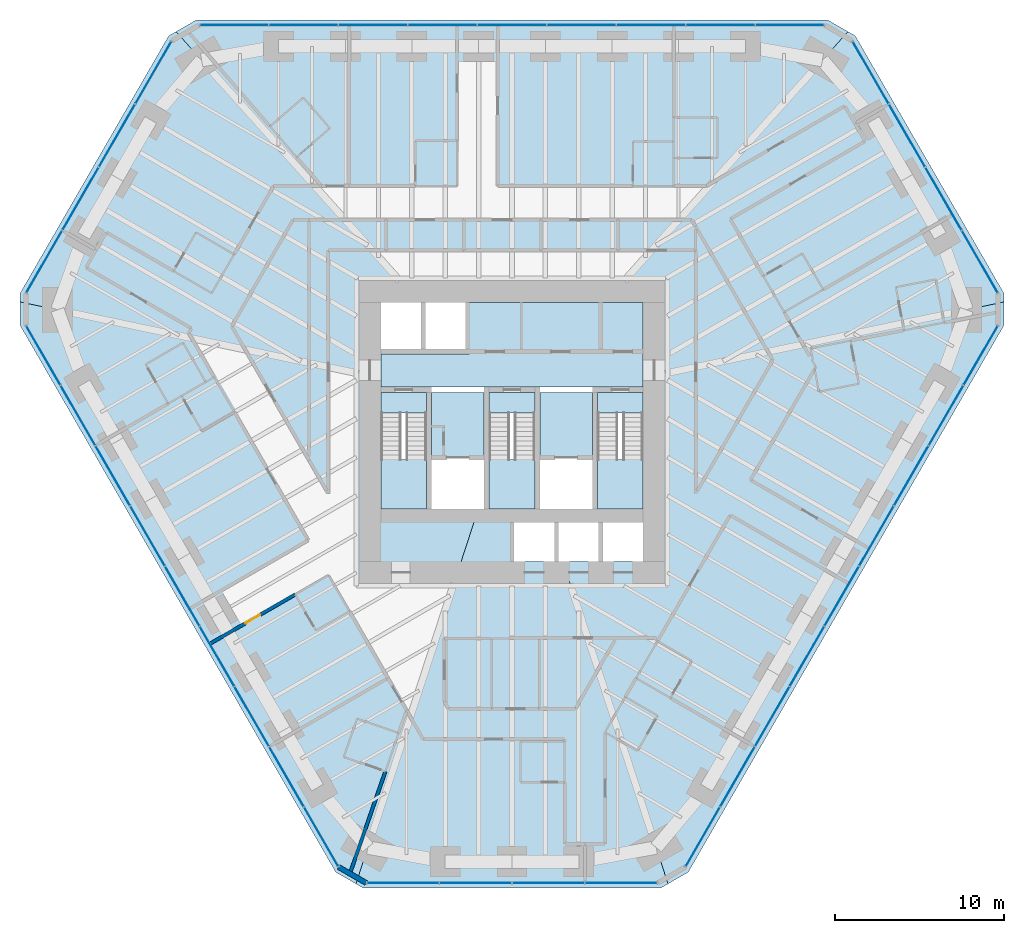
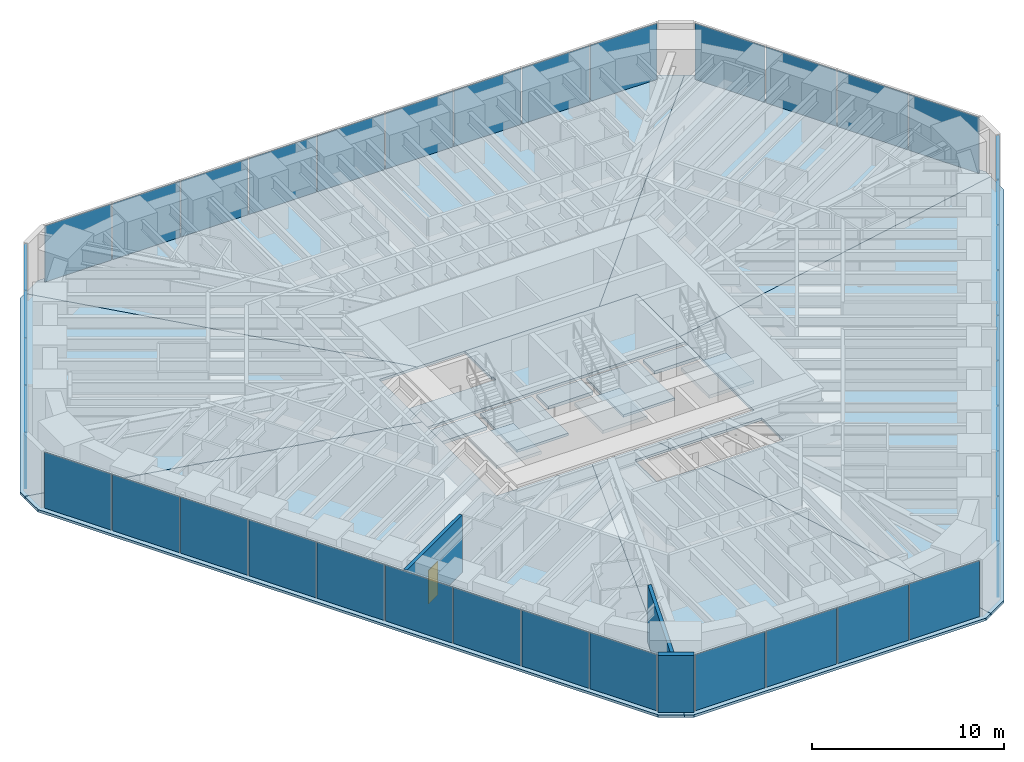
# One storey, part 10 of 17: 39 plates, 15 slabs, 3 walls, 1 door, 1 opening, 9 elements without a shape of their own.
"""IFC4 building model written with IfcOpenShell, lengths in metres."""

from ifc_helpers import new_model, si_unit, direction, frame, frame_2d, origin, origin_2d, place, context, subcontext, project, spatial, polyline, rectangle, outline, extrude, material, layer, layer_set, type_object, element, fill, aggregate, save


model = new_model("IFC4")

# Units and contexts
model_context = context("Model", 3, precision=1e-05, world=origin(), true_north=direction((0.0, 1.0)))
body_context = subcontext(model_context, "Body", "Model", "MODEL_VIEW")
ifc_project = project(units=[si_unit("LENGTHUNIT", "METRE"), si_unit("AREAUNIT", "SQUARE_METRE"), si_unit("VOLUMEUNIT", "CUBIC_METRE"), si_unit("PLANEANGLEUNIT", "RADIAN"), si_unit("MASSUNIT", "GRAM", prefix="KILO")], contexts=[model_context])

# Site, building, storey
site_placement = place(None, origin())
site = spatial("IfcSite", under=ifc_project, at=site_placement, CompositionType="ELEMENT")
building_placement = place(site_placement, origin())
building = spatial("IfcBuilding", under=site, at=building_placement, Name="Sandreach Pilgrim Tower", CompositionType="ELEMENT")
storey_placement = place(building_placement, frame((0.0, 0.0, 138.60009765625)))
storey = spatial("IfcBuildingStorey", under=building, at=storey_placement, Name="L34", CompositionType="ELEMENT", Elevation=138.60009765625)

# Curtain wall, plates
ifc_material_1 = material(Name="Aluminium framed curtain wall", Category="aluminium")
curtain_wall_type = type_object("IfcCurtainWallType", Name="Hotel tower curtain wall", PredefinedType="NOTDEFINED", material=ifc_material_1)
curtain_wall_1_placement = place(storey_placement, origin())
curtain_wall_1 = element("IfcCurtainWall", 1, at=curtain_wall_1_placement, inside=storey, type_object=curtain_wall_type, Name="CW-2 L34 N", PredefinedType="NOTDEFINED")
ifc_material_2 = material(Name="Insulating glass unit 8 heat-strengthened + 16 argon + 8 heat-strengthened", Category="glass")
ifc_layer_1 = layer(ifc_material_2, 0.031982421875)
ifc_layer_set_1 = layer_set([ifc_layer_1], Name="CW-2 panel")
plate_type = type_object("IfcPlateType", Name="CW-2 panel", PredefinedType="CURTAIN_PANEL", material=ifc_layer_set_1)
plate_1_placement = place(storey_placement, frame((-16.41162109375, 22.493896484375, 0.0), z_axis=(0.0, 0.0, 1.0), x_axis=(1.0, 0.0, 0.0)))
plate_1 = element("IfcPlate", 2, at=plate_1_placement, type_object=plate_type, Name="CW-2 panel 1", PredefinedType="CURTAIN_PANEL", context=body_context, shape_type="SweptSolid", body=[
    extrude(rectangle(XDim=4.009521484375, YDim=0.031982421875, at=origin_2d()), origin(), (0.0, 0.0, 1.0), 3.570068359375),
])
plate_2_placement = place(storey_placement, frame((-12.32080078125, 22.493896484375, 0.0), z_axis=(0.0, 0.0, 1.0), x_axis=(1.0, 0.0, 0.0)))
plate_2 = element("IfcPlate", 3, at=plate_2_placement, type_object=plate_type, Name="CW-2 panel 2", PredefinedType="CURTAIN_PANEL", context=body_context, shape_type="SweptSolid", body=[
    extrude(rectangle(XDim=4.0419921875, YDim=0.031982421875, at=origin_2d()), origin(), (0.0, 0.0, 1.0), 3.570068359375),
])
plate_3_placement = place(storey_placement, frame((-8.2138671875, 22.493896484375, 0.0), z_axis=(0.0, 0.0, 1.0), x_axis=(1.0, 0.0, 0.0)))
plate_3 = element("IfcPlate", 4, at=plate_3_placement, type_object=plate_type, Name="CW-2 panel 3", PredefinedType="CURTAIN_PANEL", context=body_context, shape_type="SweptSolid", body=[
    extrude(rectangle(XDim=4.0419921875, YDim=0.031982421875, at=origin_2d()), origin(), (0.0, 0.0, 1.0), 3.570068359375),
])
plate_4_placement = place(storey_placement, frame((-4.10693359375, 22.493896484375, 0.0), z_axis=(0.0, 0.0, 1.0), x_axis=(1.0, 0.0, 0.0)))
plate_4 = element("IfcPlate", 5, at=plate_4_placement, type_object=plate_type, Name="CW-2 panel 4", PredefinedType="CURTAIN_PANEL", context=body_context, shape_type="SweptSolid", body=[
    extrude(rectangle(XDim=4.0419921875, YDim=0.031982421875, at=origin_2d()), origin(), (0.0, 0.0, 1.0), 3.570068359375),
])
plate_5_placement = place(storey_placement, frame((0.0, 22.493896484375, 0.0), z_axis=(0.0, 0.0, 1.0), x_axis=(1.0, 0.0, 0.0)))
plate_5 = element("IfcPlate", 6, at=plate_5_placement, type_object=plate_type, Name="CW-2 panel 5", PredefinedType="CURTAIN_PANEL", context=body_context, shape_type="SweptSolid", body=[
    extrude(rectangle(XDim=4.0419921875, YDim=0.031982421875, at=origin_2d()), origin(), (0.0, 0.0, 1.0), 3.570068359375),
])
plate_6_placement = place(storey_placement, frame((4.10693359375, 22.493896484375, 0.0), z_axis=(0.0, 0.0, 1.0), x_axis=(1.0, 0.0, 0.0)))
plate_6 = element("IfcPlate", 7, at=plate_6_placement, type_object=plate_type, Name="CW-2 panel 6", PredefinedType="CURTAIN_PANEL", context=body_context, shape_type="SweptSolid", body=[
    extrude(rectangle(XDim=4.0419921875, YDim=0.031982421875, at=origin_2d()), origin(), (0.0, 0.0, 1.0), 3.570068359375),
])
plate_7_placement = place(storey_placement, frame((8.2138671875, 22.493896484375, 0.0), z_axis=(0.0, 0.0, 1.0), x_axis=(1.0, 0.0, 0.0)))
plate_7 = element("IfcPlate", 8, at=plate_7_placement, type_object=plate_type, Name="CW-2 panel 7", PredefinedType="CURTAIN_PANEL", context=body_context, shape_type="SweptSolid", body=[
    extrude(rectangle(XDim=4.0419921875, YDim=0.031982421875, at=origin_2d()), origin(), (0.0, 0.0, 1.0), 3.570068359375),
])
plate_8_placement = place(storey_placement, frame((12.32080078125, 22.493896484375, 0.0), z_axis=(0.0, 0.0, 1.0), x_axis=(1.0, 0.0, 0.0)))
plate_8 = element("IfcPlate", 9, at=plate_8_placement, type_object=plate_type, Name="CW-2 panel 8", PredefinedType="CURTAIN_PANEL", context=body_context, shape_type="SweptSolid", body=[
    extrude(rectangle(XDim=4.0419921875, YDim=0.031982421875, at=origin_2d()), origin(), (0.0, 0.0, 1.0), 3.570068359375),
])
plate_9_placement = place(storey_placement, frame((16.41162109375, 22.493896484375, 0.0), z_axis=(0.0, 0.0, 1.0), x_axis=(1.0, 0.0, 0.0)))
plate_9 = element("IfcPlate", 10, at=plate_9_placement, type_object=plate_type, Name="CW-2 panel 9", PredefinedType="CURTAIN_PANEL", context=body_context, shape_type="SweptSolid", body=[
    extrude(rectangle(XDim=4.009521484375, YDim=0.031982421875, at=origin_2d()), origin(), (0.0, 0.0, 1.0), 3.570068359375),
])
aggregate(curtain_wall_1, [plate_1, plate_2, plate_3, plate_4, plate_5, plate_6, plate_7, plate_8, plate_9])

curtain_wall_2_placement = place(storey_placement, origin())
curtain_wall_2 = element("IfcCurtainWall", 11, at=curtain_wall_2_placement, inside=storey, type_object=curtain_wall_type, Name="CW-2 L34 NE", PredefinedType="NOTDEFINED")
plate_10_placement = place(storey_placement, frame((21.194091796875, 19.67529296875, 0.0), z_axis=(0.0, 0.0, 1.0), x_axis=(0.5, -0.866025403784, 0.0)))
plate_10 = element("IfcPlate", 12, at=plate_10_placement, type_object=plate_type, Name="CW-2 panel 1", PredefinedType="CURTAIN_PANEL", context=body_context, shape_type="SweptSolid", body=[
    extrude(rectangle(XDim=4.208251953125, YDim=0.031982421875, at=origin_2d()), origin(), (0.0, 0.0, 1.0), 3.570068359375),
])
plate_11_placement = place(storey_placement, frame((23.3388671875, 15.96044921875, 0.0), z_axis=(0.0, 0.0, 1.0), x_axis=(0.5, -0.866025403784, 0.0)))
plate_11 = element("IfcPlate", 13, at=plate_11_placement, type_object=plate_type, Name="CW-2 panel 2", PredefinedType="CURTAIN_PANEL", context=body_context, shape_type="SweptSolid", body=[
    extrude(rectangle(XDim=4.24072265625, YDim=0.031982421875, at=origin_2d()), origin(), (0.0, 0.0, 1.0), 3.570068359375),
])
plate_12_placement = place(storey_placement, frame((25.49169921875, 12.231689453125, 0.0), z_axis=(0.0, 0.0, 1.0), x_axis=(0.5, -0.866025403784, 0.0)))
plate_12 = element("IfcPlate", 14, at=plate_12_placement, type_object=plate_type, Name="CW-2 panel 3", PredefinedType="CURTAIN_PANEL", context=body_context, shape_type="SweptSolid", body=[
    extrude(rectangle(XDim=4.24072265625, YDim=0.031982421875, at=origin_2d()), origin(), (0.0, 0.0, 1.0), 3.570068359375),
])
plate_13_placement = place(storey_placement, frame((27.63623046875, 8.516845703125, 0.0), z_axis=(0.0, 0.0, 1.0), x_axis=(0.5, -0.866025403784, 0.0)))
plate_13 = element("IfcPlate", 15, at=plate_13_placement, type_object=plate_type, Name="CW-2 panel 4", PredefinedType="CURTAIN_PANEL", context=body_context, shape_type="SweptSolid", body=[
    extrude(rectangle(XDim=4.208251953125, YDim=0.031982421875, at=origin_2d()), origin(), (0.0, 0.0, 1.0), 3.570068359375),
])
aggregate(curtain_wall_2, [plate_10, plate_11, plate_12, plate_13])

curtain_wall_3_placement = place(storey_placement, origin())
curtain_wall_3 = element("IfcCurtainWall", 16, at=curtain_wall_3_placement, inside=storey, type_object=curtain_wall_type, Name="CW-2 L34 SE", PredefinedType="NOTDEFINED")
plate_14_placement = place(storey_placement, frame((27.68603515625, 2.966064453125, 0.0), z_axis=(0.0, 0.0, 1.0), x_axis=(-0.5, -0.866025403784, 0.0)))
plate_14 = element("IfcPlate", 17, at=plate_14_placement, type_object=plate_type, Name="CW-2 panel 1", PredefinedType="CURTAIN_PANEL", context=body_context, shape_type="SweptSolid", body=[
    extrude(rectangle(XDim=4.009521484375, YDim=0.031982421875, at=origin_2d()), origin(), (0.0, 0.0, 1.0), 3.570068359375),
])
plate_15_placement = place(storey_placement, frame((25.640625, -0.57666015625, 0.0), z_axis=(0.0, 0.0, 1.0), x_axis=(-0.5, -0.866025403784, 0.0)))
plate_15 = element("IfcPlate", 18, at=plate_15_placement, type_object=plate_type, Name="CW-2 panel 2", PredefinedType="CURTAIN_PANEL", context=body_context, shape_type="SweptSolid", body=[
    extrude(rectangle(XDim=4.0419921875, YDim=0.031982421875, at=origin_2d()), origin(), (0.0, 0.0, 1.0), 3.570068359375),
])
plate_16_placement = place(storey_placement, frame((23.587158203125, -4.13330078125, 0.0), z_axis=(0.0, 0.0, 1.0), x_axis=(-0.5, -0.866025403784, 0.0)))
plate_16 = element("IfcPlate", 19, at=plate_16_placement, type_object=plate_type, Name="CW-2 panel 3", PredefinedType="CURTAIN_PANEL", context=body_context, shape_type="SweptSolid", body=[
    extrude(rectangle(XDim=4.0419921875, YDim=0.031982421875, at=origin_2d()), origin(), (0.0, 0.0, 1.0), 3.570068359375),
])
plate_17_placement = place(storey_placement, frame((21.53369140625, -7.690185546875, 0.0), z_axis=(0.0, 0.0, 1.0), x_axis=(-0.5, -0.866025403784, 0.0)))
plate_17 = element("IfcPlate", 20, at=plate_17_placement, type_object=plate_type, Name="CW-2 panel 4", PredefinedType="CURTAIN_PANEL", context=body_context, shape_type="SweptSolid", body=[
    extrude(rectangle(XDim=4.0419921875, YDim=0.031982421875, at=origin_2d()), origin(), (0.0, 0.0, 1.0), 3.570068359375),
])
plate_18_placement = place(storey_placement, frame((19.480224609375, -11.246826171875, 0.0), z_axis=(0.0, 0.0, 1.0), x_axis=(-0.5, -0.866025403784, 0.0)))
plate_18 = element("IfcPlate", 21, at=plate_18_placement, type_object=plate_type, Name="CW-2 panel 5", PredefinedType="CURTAIN_PANEL", context=body_context, shape_type="SweptSolid", body=[
    extrude(rectangle(XDim=4.0419921875, YDim=0.031982421875, at=origin_2d()), origin(), (0.0, 0.0, 1.0), 3.570068359375),
])
plate_19_placement = place(storey_placement, frame((17.4267578125, -14.8037109375, 0.0), z_axis=(0.0, 0.0, 1.0), x_axis=(-0.5, -0.866025403784, 0.0)))
plate_19 = element("IfcPlate", 22, at=plate_19_placement, type_object=plate_type, Name="CW-2 panel 6", PredefinedType="CURTAIN_PANEL", context=body_context, shape_type="SweptSolid", body=[
    extrude(rectangle(XDim=4.0419921875, YDim=0.031982421875, at=origin_2d()), origin(), (0.0, 0.0, 1.0), 3.570068359375),
])
plate_20_placement = place(storey_placement, frame((15.373291015625, -18.3603515625, 0.0), z_axis=(0.0, 0.0, 1.0), x_axis=(-0.5, -0.866025403784, 0.0)))
plate_20 = element("IfcPlate", 23, at=plate_20_placement, type_object=plate_type, Name="CW-2 panel 7", PredefinedType="CURTAIN_PANEL", context=body_context, shape_type="SweptSolid", body=[
    extrude(rectangle(XDim=4.0419921875, YDim=0.031982421875, at=origin_2d()), origin(), (0.0, 0.0, 1.0), 3.570068359375),
])
plate_21_placement = place(storey_placement, frame((13.31982421875, -21.917236328125, 0.0), z_axis=(0.0, 0.0, 1.0), x_axis=(-0.5, -0.866025403784, 0.0)))
plate_21 = element("IfcPlate", 24, at=plate_21_placement, type_object=plate_type, Name="CW-2 panel 8", PredefinedType="CURTAIN_PANEL", context=body_context, shape_type="SweptSolid", body=[
    extrude(rectangle(XDim=4.0419921875, YDim=0.031982421875, at=origin_2d()), origin(), (0.0, 0.0, 1.0), 3.570068359375),
])
plate_22_placement = place(storey_placement, frame((11.2744140625, -25.459716796875, 0.0), z_axis=(0.0, 0.0, 1.0), x_axis=(-0.5, -0.866025403784, 0.0)))
plate_22 = element("IfcPlate", 25, at=plate_22_placement, type_object=plate_type, Name="CW-2 panel 9", PredefinedType="CURTAIN_PANEL", context=body_context, shape_type="SweptSolid", body=[
    extrude(rectangle(XDim=4.009521484375, YDim=0.031982421875, at=origin_2d()), origin(), (0.0, 0.0, 1.0), 3.570068359375),
])
aggregate(curtain_wall_3, [plate_14, plate_15, plate_16, plate_17, plate_18, plate_19, plate_20, plate_21, plate_22])

curtain_wall_4_placement = place(storey_placement, origin())
curtain_wall_4 = element("IfcCurtainWall", 26, at=curtain_wall_4_placement, inside=storey, type_object=curtain_wall_type, Name="CW-2 L34 S", PredefinedType="NOTDEFINED")
plate_23_placement = place(storey_placement, frame((6.4423828125, -28.192138671875, 0.0), z_axis=(0.0, 0.0, 1.0), x_axis=(-1.0, 0.0, 0.0)))
plate_23 = element("IfcPlate", 27, at=plate_23_placement, type_object=plate_type, Name="CW-2 panel 1", PredefinedType="CURTAIN_PANEL", context=body_context, shape_type="SweptSolid", body=[
    extrude(rectangle(XDim=4.208251953125, YDim=0.031982421875, at=origin_2d()), origin(), (0.0, 0.0, 1.0), 3.570068359375),
])
plate_24_placement = place(storey_placement, frame((2.15283203125, -28.192138671875, 0.0), z_axis=(0.0, 0.0, 1.0), x_axis=(-1.0, 0.0, 0.0)))
plate_24 = element("IfcPlate", 28, at=plate_24_placement, type_object=plate_type, Name="CW-2 panel 2", PredefinedType="CURTAIN_PANEL", context=body_context, shape_type="SweptSolid", body=[
    extrude(rectangle(XDim=4.24072265625, YDim=0.031982421875, at=origin_2d()), origin(), (0.0, 0.0, 1.0), 3.570068359375),
])
plate_25_placement = place(storey_placement, frame((-2.15283203125, -28.192138671875, 0.0), z_axis=(0.0, 0.0, 1.0), x_axis=(-1.0, 0.0, 0.0)))
plate_25 = element("IfcPlate", 29, at=plate_25_placement, type_object=plate_type, Name="CW-2 panel 3", PredefinedType="CURTAIN_PANEL", context=body_context, shape_type="SweptSolid", body=[
    extrude(rectangle(XDim=4.24072265625, YDim=0.031982421875, at=origin_2d()), origin(), (0.0, 0.0, 1.0), 3.570068359375),
])
plate_26_placement = place(storey_placement, frame((-6.4423828125, -28.192138671875, 0.0), z_axis=(0.0, 0.0, 1.0), x_axis=(-1.0, 0.0, 0.0)))
plate_26 = element("IfcPlate", 30, at=plate_26_placement, type_object=plate_type, Name="CW-2 panel 4", PredefinedType="CURTAIN_PANEL", context=body_context, shape_type="SweptSolid", body=[
    extrude(rectangle(XDim=4.208251953125, YDim=0.031982421875, at=origin_2d()), origin(), (0.0, 0.0, 1.0), 3.570068359375),
])
aggregate(curtain_wall_4, [plate_23, plate_24, plate_25, plate_26])

curtain_wall_5_placement = place(storey_placement, origin())
curtain_wall_5 = element("IfcCurtainWall", 31, at=curtain_wall_5_placement, inside=storey, type_object=curtain_wall_type, Name="CW-2 L34 SW", PredefinedType="NOTDEFINED")
plate_27_placement = place(storey_placement, frame((-11.2744140625, -25.459716796875, 0.0), z_axis=(0.0, 0.0, 1.0), x_axis=(-0.5, 0.866025403784, 0.0)))
plate_27 = element("IfcPlate", 32, at=plate_27_placement, type_object=plate_type, Name="CW-2 panel 1", PredefinedType="CURTAIN_PANEL", context=body_context, shape_type="SweptSolid", body=[
    extrude(rectangle(XDim=4.009521484375, YDim=0.031982421875, at=origin_2d()), origin(), (0.0, 0.0, 1.0), 3.570068359375),
])
plate_28_placement = place(storey_placement, frame((-13.31982421875, -21.917236328125, 0.0), z_axis=(0.0, 0.0, 1.0), x_axis=(-0.5, 0.866025403784, 0.0)))
plate_28 = element("IfcPlate", 33, at=plate_28_placement, type_object=plate_type, Name="CW-2 panel 2", PredefinedType="CURTAIN_PANEL", context=body_context, shape_type="SweptSolid", body=[
    extrude(rectangle(XDim=4.0419921875, YDim=0.031982421875, at=origin_2d()), origin(), (0.0, 0.0, 1.0), 3.570068359375),
])
plate_29_placement = place(storey_placement, frame((-15.373291015625, -18.3603515625, 0.0), z_axis=(0.0, 0.0, 1.0), x_axis=(-0.5, 0.866025403784, 0.0)))
plate_29 = element("IfcPlate", 34, at=plate_29_placement, type_object=plate_type, Name="CW-2 panel 3", PredefinedType="CURTAIN_PANEL", context=body_context, shape_type="SweptSolid", body=[
    extrude(rectangle(XDim=4.0419921875, YDim=0.031982421875, at=origin_2d()), origin(), (0.0, 0.0, 1.0), 3.570068359375),
])
plate_30_placement = place(storey_placement, frame((-17.4267578125, -14.8037109375, 0.0), z_axis=(0.0, 0.0, 1.0), x_axis=(-0.5, 0.866025403784, 0.0)))
plate_30 = element("IfcPlate", 35, at=plate_30_placement, type_object=plate_type, Name="CW-2 panel 4", PredefinedType="CURTAIN_PANEL", context=body_context, shape_type="SweptSolid", body=[
    extrude(rectangle(XDim=4.0419921875, YDim=0.031982421875, at=origin_2d()), origin(), (0.0, 0.0, 1.0), 3.570068359375),
])
plate_31_placement = place(storey_placement, frame((-19.480224609375, -11.246826171875, 0.0), z_axis=(0.0, 0.0, 1.0), x_axis=(-0.5, 0.866025403784, 0.0)))
plate_31 = element("IfcPlate", 36, at=plate_31_placement, type_object=plate_type, Name="CW-2 panel 5", PredefinedType="CURTAIN_PANEL", context=body_context, shape_type="SweptSolid", body=[
    extrude(rectangle(XDim=4.0419921875, YDim=0.031982421875, at=origin_2d()), origin(), (0.0, 0.0, 1.0), 3.570068359375),
])
plate_32_placement = place(storey_placement, frame((-21.53369140625, -7.690185546875, 0.0), z_axis=(0.0, 0.0, 1.0), x_axis=(-0.5, 0.866025403784, 0.0)))
plate_32 = element("IfcPlate", 37, at=plate_32_placement, type_object=plate_type, Name="CW-2 panel 6", PredefinedType="CURTAIN_PANEL", context=body_context, shape_type="SweptSolid", body=[
    extrude(rectangle(XDim=4.0419921875, YDim=0.031982421875, at=origin_2d()), origin(), (0.0, 0.0, 1.0), 3.570068359375),
])
plate_33_placement = place(storey_placement, frame((-23.587158203125, -4.13330078125, 0.0), z_axis=(0.0, 0.0, 1.0), x_axis=(-0.5, 0.866025403784, 0.0)))
plate_33 = element("IfcPlate", 38, at=plate_33_placement, type_object=plate_type, Name="CW-2 panel 7", PredefinedType="CURTAIN_PANEL", context=body_context, shape_type="SweptSolid", body=[
    extrude(rectangle(XDim=4.0419921875, YDim=0.031982421875, at=origin_2d()), origin(), (0.0, 0.0, 1.0), 3.570068359375),
])
plate_34_placement = place(storey_placement, frame((-25.640625, -0.57666015625, 0.0), z_axis=(0.0, 0.0, 1.0), x_axis=(-0.5, 0.866025403784, 0.0)))
plate_34 = element("IfcPlate", 39, at=plate_34_placement, type_object=plate_type, Name="CW-2 panel 8", PredefinedType="CURTAIN_PANEL", context=body_context, shape_type="SweptSolid", body=[
    extrude(rectangle(XDim=4.0419921875, YDim=0.031982421875, at=origin_2d()), origin(), (0.0, 0.0, 1.0), 3.570068359375),
])
plate_35_placement = place(storey_placement, frame((-27.68603515625, 2.966064453125, 0.0), z_axis=(0.0, 0.0, 1.0), x_axis=(-0.5, 0.866025403784, 0.0)))
plate_35 = element("IfcPlate", 40, at=plate_35_placement, type_object=plate_type, Name="CW-2 panel 9", PredefinedType="CURTAIN_PANEL", context=body_context, shape_type="SweptSolid", body=[
    extrude(rectangle(XDim=4.009521484375, YDim=0.031982421875, at=origin_2d()), origin(), (0.0, 0.0, 1.0), 3.570068359375),
])
aggregate(curtain_wall_5, [plate_27, plate_28, plate_29, plate_30, plate_31, plate_32, plate_33, plate_34, plate_35])

curtain_wall_6_placement = place(storey_placement, origin())
curtain_wall_6 = element("IfcCurtainWall", 41, at=curtain_wall_6_placement, inside=storey, type_object=curtain_wall_type, Name="CW-2 L34 NW", PredefinedType="NOTDEFINED")
plate_36_placement = place(storey_placement, frame((-27.63623046875, 8.516845703125, 0.0), z_axis=(0.0, 0.0, 1.0), x_axis=(0.5, 0.866025403784, 0.0)))
plate_36 = element("IfcPlate", 42, at=plate_36_placement, type_object=plate_type, Name="CW-2 panel 1", PredefinedType="CURTAIN_PANEL", context=body_context, shape_type="SweptSolid", body=[
    extrude(rectangle(XDim=4.208251953125, YDim=0.031982421875, at=origin_2d()), origin(), (0.0, 0.0, 1.0), 3.570068359375),
])
plate_37_placement = place(storey_placement, frame((-25.49169921875, 12.231689453125, 0.0), z_axis=(0.0, 0.0, 1.0), x_axis=(0.5, 0.866025403784, 0.0)))
plate_37 = element("IfcPlate", 43, at=plate_37_placement, type_object=plate_type, Name="CW-2 panel 2", PredefinedType="CURTAIN_PANEL", context=body_context, shape_type="SweptSolid", body=[
    extrude(rectangle(XDim=4.24072265625, YDim=0.031982421875, at=origin_2d()), origin(), (0.0, 0.0, 1.0), 3.570068359375),
])
plate_38_placement = place(storey_placement, frame((-23.3388671875, 15.96044921875, 0.0), z_axis=(0.0, 0.0, 1.0), x_axis=(0.5, 0.866025403784, 0.0)))
plate_38 = element("IfcPlate", 44, at=plate_38_placement, type_object=plate_type, Name="CW-2 panel 3", PredefinedType="CURTAIN_PANEL", context=body_context, shape_type="SweptSolid", body=[
    extrude(rectangle(XDim=4.24072265625, YDim=0.031982421875, at=origin_2d()), origin(), (0.0, 0.0, 1.0), 3.570068359375),
])
plate_39_placement = place(storey_placement, frame((-21.194091796875, 19.67529296875, 0.0), z_axis=(0.0, 0.0, 1.0), x_axis=(0.5, 0.866025403784, 0.0)))
plate_39 = element("IfcPlate", 45, at=plate_39_placement, type_object=plate_type, Name="CW-2 panel 4", PredefinedType="CURTAIN_PANEL", context=body_context, shape_type="SweptSolid", body=[
    extrude(rectangle(XDim=4.208251953125, YDim=0.031982421875, at=origin_2d()), origin(), (0.0, 0.0, 1.0), 3.570068359375),
])
aggregate(curtain_wall_6, [plate_36, plate_37, plate_38, plate_39])

# Slabs
ifc_material_3 = material(Name="Concrete 8000 psi", Category="concrete")
ifc_layer_2 = layer(ifc_material_3, 0.159912109375)
ifc_layer_set_2 = layer_set([ifc_layer_2], Name="Composite floor slab 160")
slab_type_1 = type_object("IfcSlabType", Name="Composite floor slab 160", PredefinedType="FLOOR", material=ifc_layer_set_2)
slab_1_placement = place(storey_placement, frame((0.0, 0.0, -0.16015625)))
element("IfcSlab", 46, at=slab_1_placement, inside=storey, type_object=slab_type_1, Name="Floor slab L34 N sector", PredefinedType="FLOOR", context=body_context, shape_type="SweptSolid", body=[
    extrude(outline(polyline([(-18.654541015625, 22.793701171875), (18.654541015625, 22.793701171875), (19.848388671875, 22.1044921875), (5.477294921875, 6.10009765625), (-5.477294921875, 6.10009765625), (-19.848388671875, 22.1044921875), (-18.654541015625, 22.793701171875)])), origin(), (0.0, 0.0, 1.0), 0.16015625),
])
slab_2_placement = place(storey_placement, frame((0.0, 0.0, -0.16015625)))
element("IfcSlab", 47, at=slab_2_placement, inside=storey, type_object=slab_type_1, Name="Floor slab L34 NE sector", PredefinedType="FLOOR", context=body_context, shape_type="SweptSolid", body=[
    extrude(outline(polyline([(20.28271484375, 21.853759765625), (29.0673828125, 6.638427734375), (29.0673828125, 6.13720703125), (7.75, 1.63623046875), (7.75, 6.10009765625), (5.477294921875, 6.10009765625), (19.848388671875, 22.1044921875), (20.28271484375, 21.853759765625)])), origin(), (0.0, 0.0, 1.0), 0.16015625),
])
slab_3_placement = place(storey_placement, frame((0.0, 0.0, -0.16015625)))
element("IfcSlab", 48, at=slab_3_placement, inside=storey, type_object=slab_type_1, Name="Floor slab L34 SE sector", PredefinedType="FLOOR", context=body_context, shape_type="SweptSolid", body=[
    extrude(outline(polyline([(29.0673828125, 4.75830078125), (10.41259765625, -27.55224609375), (9.21875, -28.241455078125), (3.003173828125, -9.199951171875), (7.75, -9.199951171875), (7.75, -6.89990234375), (2.252197265625, -6.89990234375), (1.9912109375, -6.10009765625), (7.75, -6.10009765625), (7.75, 1.63623046875), (29.0673828125, 6.13720703125), (29.0673828125, 4.75830078125)])), origin(), (0.0, 0.0, 1.0), 0.16015625),
])
slab_4_placement = place(storey_placement, frame((0.0, 0.0, -0.16015625)))
element("IfcSlab", 49, at=slab_4_placement, inside=storey, type_object=slab_type_1, Name="Floor slab L34 S sector", PredefinedType="FLOOR", context=body_context, shape_type="SweptSolid", body=[
    extrude(outline(polyline([(8.78466796875, -28.4921875), (-8.78466796875, -28.4921875), (-9.21875, -28.241455078125), (-1.9912109375, -6.10009765625), (1.9912109375, -6.10009765625), (2.252197265625, -6.89990234375), (0.125, -6.89990234375), (0.125, -9.199951171875), (3.003173828125, -9.199951171875), (9.21875, -28.241455078125), (8.78466796875, -28.4921875)])), origin(), (0.0, 0.0, 1.0), 0.16015625),
])
slab_5_placement = place(storey_placement, frame((0.0, 0.0, -0.16015625)))
element("IfcSlab", 50, at=slab_5_placement, inside=storey, type_object=slab_type_1, Name="Floor slab L34 SW sector", PredefinedType="FLOOR", context=body_context, shape_type="SweptSolid", body=[
    extrude(outline(polyline([(-10.41259765625, -27.55224609375), (-29.0673828125, 4.75830078125), (-29.0673828125, 6.13720703125), (-7.75, 1.63623046875), (-7.75, -6.10009765625), (-1.9912109375, -6.10009765625), (-9.21875, -28.241455078125), (-10.41259765625, -27.55224609375)])), origin(), (0.0, 0.0, 1.0), 0.16015625),
])
slab_6_placement = place(storey_placement, frame((0.0, 0.0, -0.16015625)))
element("IfcSlab", 51, at=slab_6_placement, inside=storey, type_object=slab_type_1, Name="Floor slab L34 NW sector", PredefinedType="FLOOR", context=body_context, shape_type="SweptSolid", body=[
    extrude(outline(polyline([(-29.0673828125, 6.638427734375), (-20.28271484375, 21.853759765625), (-19.848388671875, 22.1044921875), (-5.477294921875, 6.10009765625), (-7.75, 6.10009765625), (-7.75, 1.63623046875), (-29.0673828125, 6.13720703125), (-29.0673828125, 6.638427734375)])), origin(), (0.0, 0.0, 1.0), 0.16015625),
])
slab_7_placement = place(storey_placement, frame((0.0, 0.0, -0.16015625)))
element("IfcSlab", 52, at=slab_7_placement, inside=storey, type_object=slab_type_1, Name="Core floor slab and stores L34", PredefinedType="FLOOR", context=body_context, shape_type="SweptSolid", body=[
    extrude(outline(polyline([(-7.75, 3.050048828125), (-5.375, 3.050048828125), (-5.125, 3.050048828125), (-2.5, 3.050048828125), (-2.5, 3.35009765625), (-2.60009765625, 3.35009765625), (-2.60009765625, 6.10009765625), (7.75, 6.10009765625), (7.75, 1.10009765625), (5.050048828125, 1.10009765625), (4.75, 1.10009765625), (1.64990234375, 1.10009765625), (1.35009765625, 1.10009765625), (-1.35009765625, 1.10009765625), (-1.64990234375, 1.10009765625), (-4.75, 1.10009765625), (-5.050048828125, 1.10009765625), (-7.75, 1.10009765625), (-7.75, 3.050048828125)])), origin(), (0.0, 0.0, 1.0), 0.16015625),
])
slab_8_placement = place(storey_placement, frame((0.0, 0.0, -0.16015625)))
element("IfcSlab", 53, at=slab_8_placement, inside=storey, type_object=slab_type_1, Name="Core floor slab and stores L34 2", PredefinedType="FLOOR", context=body_context, shape_type="SweptSolid", body=[
    extrude(outline(polyline([(-1.64990234375, -3.050048828125), (-4.75, -3.050048828125), (-4.75, 0.800048828125), (-1.64990234375, 0.800048828125), (-1.64990234375, -3.050048828125)])), origin(), (0.0, 0.0, 1.0), 0.16015625),
])
slab_9_placement = place(storey_placement, frame((0.0, 0.0, -0.16015625)))
element("IfcSlab", 54, at=slab_9_placement, inside=storey, type_object=slab_type_1, Name="Core floor slab and stores L34 3", PredefinedType="FLOOR", context=body_context, shape_type="SweptSolid", body=[
    extrude(outline(polyline([(4.75, -3.050048828125), (1.64990234375, -3.050048828125), (1.64990234375, 0.800048828125), (4.75, 0.800048828125), (4.75, -3.050048828125)])), origin(), (0.0, 0.0, 1.0), 0.16015625),
])

# Stair, slabs
ifc_material_4 = material(Name="Concrete 8000 psi", Category="concrete")
stair_type = type_object("IfcStairType", Name="Core exit stair", PredefinedType="HALF_TURN_STAIR", material=ifc_material_4)
stair_1_placement = place(storey_placement, origin())
stair_1 = element("IfcStair", 55, at=stair_1_placement, inside=storey, type_object=stair_type, Name="Exit stair ST1 L34", PredefinedType="HALF_TURN_STAIR")
ifc_material_5 = material(Name="Concrete 8000 psi", Category="concrete")
ifc_layer_3 = layer(ifc_material_5, 0.199951171875)
ifc_layer_set_3 = layer_set([ifc_layer_3], Name="Core stair landing 200")
slab_type_2 = type_object("IfcSlabType", Name="Core stair landing 200", PredefinedType="LANDING", material=ifc_layer_set_3)
slab_10_placement = place(storey_placement, frame((0.0, 0.0, -0.2001953125)))
slab_10 = element("IfcSlab", 56, at=slab_10_placement, type_object=slab_type_2, Name="ST1 landing 1", PredefinedType="LANDING", context=body_context, shape_type="SweptSolid", body=[
    extrude(outline(polyline([(-7.75, -0.425048828125), (-5.050048828125, -0.425048828125), (-5.050048828125, 0.800048828125), (-7.75, 0.800048828125), (-7.75, -0.425048828125)])), origin(), (0.0, 0.0, 1.0), 0.2001953125),
])
slab_11_placement = place(storey_placement, frame((0.0, 0.0, 1.699951171875)))
slab_11 = element("IfcSlab", 57, at=slab_11_placement, type_object=slab_type_2, Name="ST1 landing 2", PredefinedType="LANDING", context=body_context, shape_type="SweptSolid", body=[
    extrude(outline(polyline([(-7.75, -6.10009765625), (-5.050048828125, -6.10009765625), (-5.050048828125, -3.175048828125), (-7.75, -3.175048828125), (-7.75, -6.10009765625)])), origin(), (0.0, 0.0, 1.0), 0.199951171875),
])
aggregate(stair_1, [slab_10, slab_11])

stair_2_placement = place(storey_placement, origin())
stair_2 = element("IfcStair", 58, at=stair_2_placement, inside=storey, type_object=stair_type, Name="Exit stair ST3 L34", PredefinedType="HALF_TURN_STAIR")
slab_12_placement = place(storey_placement, frame((0.0, 0.0, -0.2001953125)))
slab_12 = element("IfcSlab", 59, at=slab_12_placement, type_object=slab_type_2, Name="ST3 landing 1", PredefinedType="LANDING", context=body_context, shape_type="SweptSolid", body=[
    extrude(outline(polyline([(-1.35009765625, -0.425048828125), (1.35009765625, -0.425048828125), (1.35009765625, 0.800048828125), (-1.35009765625, 0.800048828125), (-1.35009765625, -0.425048828125)])), origin(), (0.0, 0.0, 1.0), 0.2001953125),
])
slab_13_placement = place(storey_placement, frame((0.0, 0.0, 1.699951171875)))
slab_13 = element("IfcSlab", 60, at=slab_13_placement, type_object=slab_type_2, Name="ST3 landing 2", PredefinedType="LANDING", context=body_context, shape_type="SweptSolid", body=[
    extrude(outline(polyline([(-1.35009765625, -6.10009765625), (1.35009765625, -6.10009765625), (1.35009765625, -3.175048828125), (-1.35009765625, -3.175048828125), (-1.35009765625, -6.10009765625)])), origin(), (0.0, 0.0, 1.0), 0.199951171875),
])
aggregate(stair_2, [slab_12, slab_13])

stair_3_placement = place(storey_placement, origin())
stair_3 = element("IfcStair", 61, at=stair_3_placement, inside=storey, type_object=stair_type, Name="Exit stair ST2 L34", PredefinedType="HALF_TURN_STAIR")
slab_14_placement = place(storey_placement, frame((0.0, 0.0, -0.2001953125)))
slab_14 = element("IfcSlab", 62, at=slab_14_placement, type_object=slab_type_2, Name="ST2 landing 1", PredefinedType="LANDING", context=body_context, shape_type="SweptSolid", body=[
    extrude(outline(polyline([(5.050048828125, -0.425048828125), (7.75, -0.425048828125), (7.75, 0.800048828125), (5.050048828125, 0.800048828125), (5.050048828125, -0.425048828125)])), origin(), (0.0, 0.0, 1.0), 0.2001953125),
])
slab_15_placement = place(storey_placement, frame((0.0, 0.0, 1.699951171875)))
slab_15 = element("IfcSlab", 63, at=slab_15_placement, type_object=slab_type_2, Name="ST2 landing 2", PredefinedType="LANDING", context=body_context, shape_type="SweptSolid", body=[
    extrude(outline(polyline([(5.050048828125, -6.10009765625), (7.75, -6.10009765625), (7.75, -3.175048828125), (5.050048828125, -3.175048828125), (5.050048828125, -6.10009765625)])), origin(), (0.0, 0.0, 1.0), 0.199951171875),
])
aggregate(stair_3, [slab_14, slab_15])

# Wall, opening, door
ifc_material_6 = material(Name="Gypsum board on steel studs, two layers each side", Category="steel")
ifc_layer_4 = layer(ifc_material_6, 0.199951171875)
ifc_layer_set_4 = layer_set([ifc_layer_4], Name="Corridor wall 200")
wall_type_1 = type_object("IfcWallType", Name="Corridor wall 200", PredefinedType="PARTITIONING", material=ifc_layer_set_4)
wall_1_placement = place(storey_placement, frame((-17.823974609375, -14.044921875, 0.0), z_axis=(0.0, 0.0, 1.0), x_axis=(0.866007919525, 0.500030282404, 0.0)))
wall_1 = element("IfcWall", 64, at=wall_1_placement, inside=storey, type_object=wall_type_1, Name="Corridor wall L34-020", PredefinedType="PARTITIONING", context=body_context, shape_type="SweptSolid", body=[
    extrude(rectangle(XDim=5.789794921875, YDim=0.199951171875, at=frame_2d((2.89501953125, 0.0))), origin(), (0.0, 0.0, 1.0), 3.639892578125),
])
opening_placement = place(wall_1_placement, frame((2.39501953125, 0.0, 0.0)))
opening = element("IfcOpeningElement", 65, at=opening_placement, cuts=wall_1, Name="Opening D10-12", PredefinedType="OPENING", context=body_context, shape_type="SweptSolid", body=[
    extrude(rectangle(XDim=1.0, YDim=2.1298828125, at=frame_2d((0.5, 1.06494140625))), frame((0.0, 0.10009765625, 0.0), z_axis=(0.0, -1.0, 0.0), x_axis=(1.0, 0.0, 0.0)), (0.0, 0.0, 1.0), 0.199951171875),
])
ifc_material_7 = material(Name="Steel door and frame", Category="steel")
door_type = type_object("IfcDoorType", Name="Guest room entry door", OperationType="SINGLE_SWING_LEFT", PredefinedType="DOOR", material=ifc_material_7)
door_placement = place(opening_placement, origin())
door = element("IfcDoor", 66, at=door_placement, inside=storey, type_object=door_type, Name="Door 3412", OperationType="SINGLE_SWING_LEFT", OverallHeight=2.1298828125, OverallWidth=1.0, PredefinedType="DOOR", context=body_context, shape_type="SweptSolid", body=[
    extrude(rectangle(XDim=1.0, YDim=2.1298828125, at=frame_2d((0.5, 1.06494140625))), frame((0.0, 0.02490234375, 0.0), z_axis=(0.0, -1.0, 0.0), x_axis=(1.0, 0.0, 0.0)), (0.0, 0.0, 1.0), 0.050048828125),
])
fill(opening, door)

# Walls
ifc_material_8 = material(Name="Double steel stud acoustic wall, gypsum board", Category="steel")
ifc_layer_5 = layer(ifc_material_8, 0.199951171875)
ifc_layer_set_5 = layer_set([ifc_layer_5], Name="Party wall 200")
wall_type_2 = type_object("IfcWallType", Name="Party wall 200", PredefinedType="PARTITIONING", material=ifc_layer_set_5)
wall_2_placement = place(storey_placement, frame((-9.580078125, -27.651611328125, 0.0), z_axis=(0.0, 0.0, 1.0), x_axis=(0.327855318627, 0.944727944991, 0.0)))
element("IfcWall", 67, at=wall_2_placement, inside=storey, type_object=wall_type_2, Name="Party wall L34-049", PredefinedType="PARTITIONING", context=body_context, shape_type="SweptSolid", body=[
    extrude(rectangle(XDim=6.405517578125, YDim=0.199951171875, at=frame_2d((3.20263671875, 0.0))), origin(), (0.0, 0.0, 1.0), 3.639892578125),
])
ifc_material_9 = material(Name="Terracotta rainscreen on concrete", Category="masonry")
ifc_layer_6 = layer(ifc_material_9, 0.300048828125)
ifc_layer_set_6 = layer_set([ifc_layer_6], Name="Terracotta chamfer pier")
wall_type_3 = type_object("IfcWallType", Name="Terracotta chamfer pier", PredefinedType="SOLIDWALL", material=ifc_layer_set_6)
wall_3_placement = place(storey_placement, frame((-8.611328125, -28.192138671875, 0.0), z_axis=(0.0, 0.0, 1.0), x_axis=(-0.866045024864, 0.499966013754, 0.0)))
element("IfcWall", 68, at=wall_3_placement, inside=storey, type_object=wall_type_3, Name="Chamfer pier L34 S", PredefinedType="SOLIDWALL", context=body_context, shape_type="SweptSolid", body=[
    extrude(rectangle(XDim=1.880126953125, YDim=0.300048828125, at=frame_2d((0.93994140625, 0.0))), origin(), (0.0, 0.0, 1.0), 3.639892578125),
])

save(model, "model.ifc")
